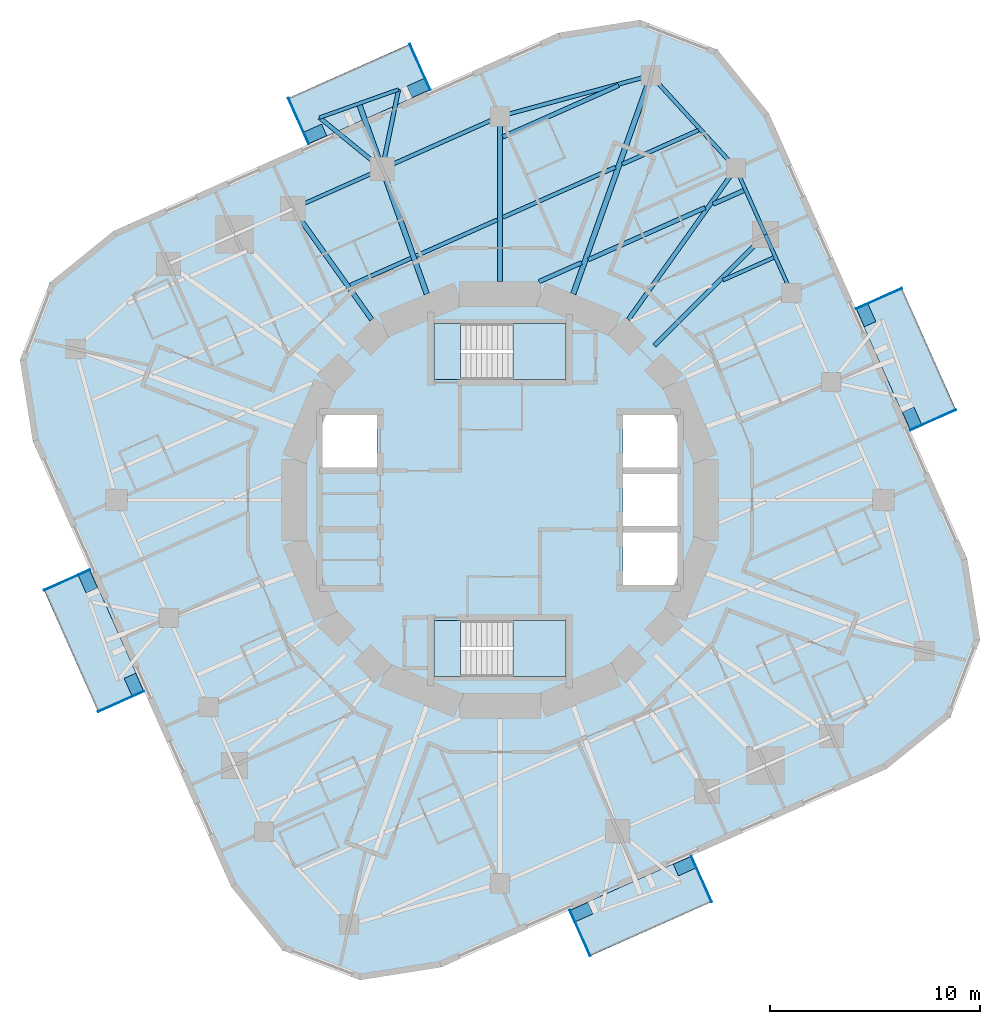
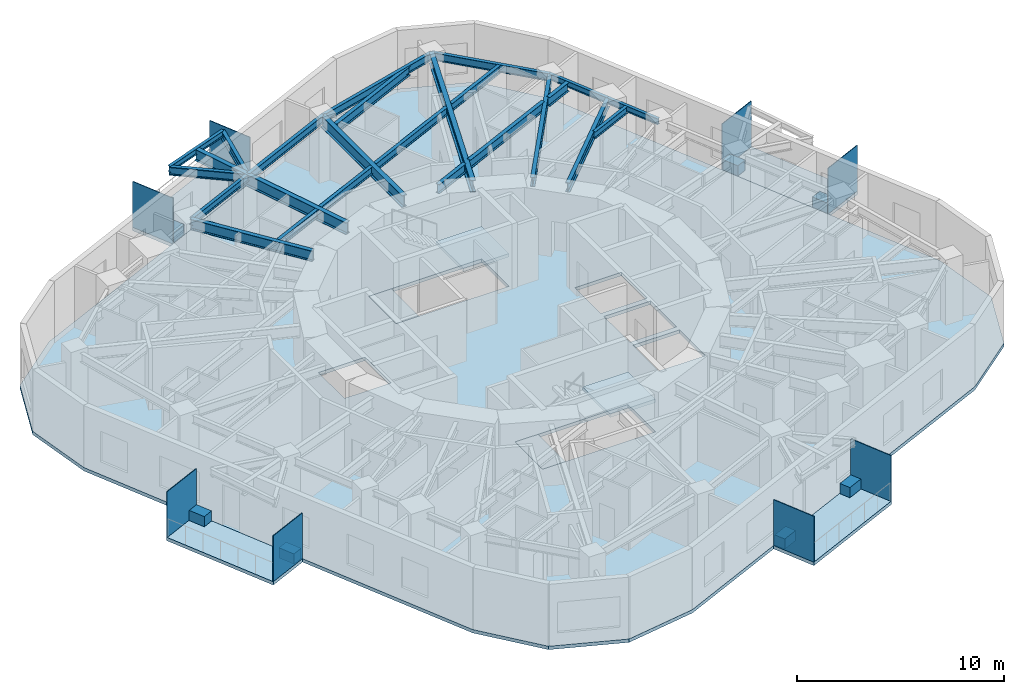
# One storey, part 3 of 12: 24 beams, 16 plates, 9 slabs, 2 elements without a shape of their own.
"""IFC4 building model written with IfcOpenShell, lengths in metres."""

from ifc_helpers import new_model, si_unit, direction, frame, origin, origin_2d, place, context, subcontext, project, spatial, polyline, rectangle, i_section, outline, extrude, material, layer, layer_set, material_profile, profile_set, type_object, element, aggregate, save


model = new_model("IFC4")

# Units and contexts
model_context = context("Model", 3, precision=1e-05, world=origin(), true_north=direction((0.0, 1.0)))
body_context = subcontext(model_context, "Body", "Model", "MODEL_VIEW")
ifc_project = project(units=[si_unit("LENGTHUNIT", "METRE"), si_unit("AREAUNIT", "SQUARE_METRE"), si_unit("VOLUMEUNIT", "CUBIC_METRE"), si_unit("PLANEANGLEUNIT", "RADIAN"), si_unit("MASSUNIT", "GRAM", prefix="KILO")], contexts=[model_context])

# Site, building, storey
site_placement = place(None, origin())
site = spatial("IfcSite", under=ifc_project, at=site_placement, CompositionType="ELEMENT")
building_placement = place(site_placement, origin())
building = spatial("IfcBuilding", under=site, at=building_placement, Name="Nakasero Lantern House", CompositionType="ELEMENT")
storey_placement = place(building_placement, frame((0.0, 0.0, 201.699951171875)))
storey = spatial("IfcBuildingStorey", under=building, at=storey_placement, Name="L49", CompositionType="ELEMENT", Elevation=201.699951171875)

# Beams
ifc_material_1 = material(Name="Steel S355", Category="steel")
ifc_material_profile_1 = material_profile(ifc_material_1, i_section(OverallWidth=0.199462890625, OverallDepth=0.491943359375, WebThickness=0.01806640625, FlangeThickness=0.031982421875, FilletRadius=0.01025390625, at=origin_2d()), Name="UB 457x191x161")
ifc_profile_set_1 = profile_set([ifc_material_profile_1], Name="Steel S355")
beam_type_1 = type_object("IfcBeamType", Name="Balcony splay beam UB 457x191x161", PredefinedType="BEAM", material=ifc_profile_set_1)
beam_1_placement = place(storey_placement, frame((-5.611328125, 15.781982421875, 3.404052734375), z_axis=(-0.774833215206, 0.632165712937, 0.0), x_axis=(-0.632165712937, -0.774833215206, 0.0)))
element("IfcBeam", 1, at=beam_1_placement, inside=storey, type_object=beam_type_1, Name="Balcony splay beam L50 B5-C10A", PredefinedType="BEAM", context=body_context, shape_type="SweptSolid", body=[
    extrude(i_section(OverallWidth=0.199462890625, OverallDepth=0.491943359375, WebThickness=0.01806640625, FlangeThickness=0.031982421875, FilletRadius=0.01025390625, at=origin_2d()), origin(), (0.0, 0.0, 1.0), 3.85888671875),
])
beam_2_placement = place(storey_placement, frame((-5.611328125, 15.781982421875, 3.404052734375), z_axis=(0.201831438605, 0.979420272605, 0.0), x_axis=(-0.979420272605, 0.201831438605, 0.0)))
element("IfcBeam", 2, at=beam_2_placement, inside=storey, type_object=beam_type_1, Name="Balcony splay beam L50 B5-C10B", PredefinedType="BEAM", context=body_context, shape_type="SweptSolid", body=[
    extrude(i_section(OverallWidth=0.199462890625, OverallDepth=0.491943359375, WebThickness=0.01806640625, FlangeThickness=0.031982421875, FilletRadius=0.01025390625, at=origin_2d()), origin(), (0.0, 0.0, 1.0), 3.858642578125),
])
ifc_material_2 = material(Name="Steel S355", Category="steel")
ifc_material_profile_2 = material_profile(ifc_material_2, i_section(OverallWidth=0.17138671875, OverallDepth=0.35498046875, WebThickness=0.00732421875, FlangeThickness=0.011474609375, FilletRadius=0.01025390625, at=origin_2d()), Name="UB 356x171x51")
ifc_profile_set_2 = profile_set([ifc_material_profile_2], Name="Steel S355")
beam_type_2 = type_object("IfcBeamType", Name="Balcony tie beam UB 356x171x51", PredefinedType="BEAM", material=ifc_profile_set_2)
beam_3_placement = place(storey_placement, frame((-8.601318359375, 18.221435546875, 3.47265625), z_axis=(0.94222839004, 0.334971134582, 0.0), x_axis=(-0.334971134582, 0.94222839004, 0.0)))
element("IfcBeam", 3, at=beam_3_placement, inside=storey, type_object=beam_type_2, Name="Balcony tie beam L50 B5-C10", PredefinedType="BEAM", context=body_context, shape_type="SweptSolid", body=[
    extrude(i_section(OverallWidth=0.17138671875, OverallDepth=0.35498046875, WebThickness=0.00732421875, FlangeThickness=0.011474609375, FilletRadius=0.01025390625, at=origin_2d()), origin(), (0.0, 0.0, 1.0), 4.0),
])
ifc_material_3 = material(Name="Steel S355", Category="steel")
ifc_material_profile_3 = material_profile(ifc_material_3, i_section(OverallWidth=0.177978515625, OverallDepth=0.406494140625, WebThickness=0.0078125, FlangeThickness=0.0126953125, FilletRadius=0.01025390625, at=origin_2d()), Name="UB 406x178x60")
ifc_profile_set_3 = profile_set([ifc_material_profile_3], Name="Steel S355")
beam_type_3 = type_object("IfcBeamType", Name="Infill beam UB 406x178x60", PredefinedType="JOIST", material=ifc_profile_set_3)
beam_4_placement = place(storey_placement, frame((10.626708984375, 10.47802734375, 3.44677734375), z_axis=(0.913529602849, 0.406772251658, 0.0), x_axis=(-0.406772251658, 0.913529602849, 0.0)))
element("IfcBeam", 4, at=beam_4_placement, inside=storey, type_object=beam_type_3, Name="Infill beam L50 09.4", PredefinedType="JOIST", context=body_context, shape_type="SweptSolid", body=[
    extrude(i_section(OverallWidth=0.177978515625, OverallDepth=0.406494140625, WebThickness=0.0078125, FlangeThickness=0.0126953125, FilletRadius=0.01025390625, at=origin_2d()), origin(), (0.0, 0.0, 1.0), 2.64453125),
])
ifc_material_4 = material(Name="Steel S355", Category="steel")
ifc_material_profile_4 = material_profile(ifc_material_4, i_section(OverallWidth=0.18994140625, OverallDepth=0.453369140625, WebThickness=0.008544921875, FlangeThickness=0.0126953125, FilletRadius=0.01025390625, at=origin_2d()), Name="UB 457x191x67")
ifc_profile_set_4 = profile_set([ifc_material_profile_4], Name="Steel S355")
beam_type_4 = type_object("IfcBeamType", Name="Infill beam UB 457x191x67", PredefinedType="JOIST", material=ifc_profile_set_4)
beam_5_placement = place(storey_placement, frame((-7.1357421875, 10.232177734375, 3.42333984375), z_axis=(0.913535738899, 0.406758471029, 0.0), x_axis=(-0.406758471029, 0.913535738899, 0.0)))
element("IfcBeam", 5, at=beam_5_placement, inside=storey, type_object=beam_type_4, Name="Infill beam L50 11.5", PredefinedType="JOIST", context=body_context, shape_type="SweptSolid", body=[
    extrude(i_section(OverallWidth=0.18994140625, OverallDepth=0.453369140625, WebThickness=0.008544921875, FlangeThickness=0.0126953125, FilletRadius=0.01025390625, at=origin_2d()), origin(), (0.0, 0.0, 1.0), 3.17822265625),
])
beam_6_placement = place(storey_placement, frame((-4.0, 11.62841796875, 3.42333984375), z_axis=(0.913547765637, 0.406731459196, 0.0), x_axis=(-0.406731459196, 0.913547765637, 0.0)))
element("IfcBeam", 6, at=beam_6_placement, inside=storey, type_object=beam_type_4, Name="Infill beam L50 11.6", PredefinedType="JOIST", context=body_context, shape_type="SweptSolid", body=[
    extrude(i_section(OverallWidth=0.18994140625, OverallDepth=0.453369140625, WebThickness=0.008544921875, FlangeThickness=0.0126953125, FilletRadius=0.01025390625, at=origin_2d()), origin(), (0.0, 0.0, 1.0), 4.239501953125),
])
beam_7_placement = place(storey_placement, frame((0.126953125, 13.4658203125, 3.42333984375), z_axis=(0.913539401307, 0.406750245556, 0.0), x_axis=(-0.406750245556, 0.913539401307, 0.0)))
element("IfcBeam", 7, at=beam_7_placement, inside=storey, type_object=beam_type_4, Name="Infill beam L50 11.7", PredefinedType="JOIST", context=body_context, shape_type="SweptSolid", body=[
    extrude(i_section(OverallWidth=0.18994140625, OverallDepth=0.453369140625, WebThickness=0.008544921875, FlangeThickness=0.0126953125, FilletRadius=0.01025390625, at=origin_2d()), origin(), (0.0, 0.0, 1.0), 5.886474609375),
])
beam_8_placement = place(storey_placement, frame((5.824462890625, 16.00244140625, 3.42333984375), z_axis=(0.91354552237, 0.406736497695, 0.0), x_axis=(-0.406736497695, 0.91354552237, 0.0)))
element("IfcBeam", 8, at=beam_8_placement, inside=storey, type_object=beam_type_4, Name="Infill beam L50 11.8", PredefinedType="JOIST", context=body_context, shape_type="SweptSolid", body=[
    extrude(i_section(OverallWidth=0.18994140625, OverallDepth=0.453369140625, WebThickness=0.008544921875, FlangeThickness=0.0126953125, FilletRadius=0.01025390625, at=origin_2d()), origin(), (0.0, 0.0, 1.0), 3.9765625),
])
ifc_material_5 = material(Name="Steel S355", Category="steel")
ifc_material_profile_5 = material_profile(ifc_material_5, i_section(OverallWidth=0.2099609375, OverallDepth=0.53662109375, WebThickness=0.0107421875, FlangeThickness=0.017333984375, FilletRadius=0.0126953125, at=origin_2d()), Name="UB 533x210x101")
ifc_profile_set_5 = profile_set([ifc_material_profile_5], Name="Steel S355")
beam_type_5 = type_object("IfcBeamType", Name="Infill beam UB 533x210x101", PredefinedType="JOIST", material=ifc_profile_set_5)
beam_9_placement = place(storey_placement, frame((0.126953125, 17.297119140625, 3.381591796875), z_axis=(0.913548718281, 0.406729319483, 0.0), x_axis=(-0.406729319483, 0.913548718281, 0.0)))
element("IfcBeam", 9, at=beam_9_placement, inside=storey, type_object=beam_type_5, Name="Infill beam L50 12.3", PredefinedType="JOIST", context=body_context, shape_type="SweptSolid", body=[
    extrude(i_section(OverallWidth=0.2099609375, OverallDepth=0.53662109375, WebThickness=0.0107421875, FlangeThickness=0.017333984375, FilletRadius=0.0126953125, at=origin_2d()), origin(), (0.0, 0.0, 1.0), 6.056640625),
])
ifc_material_6 = material(Name="Steel S355", Category="steel")
ifc_material_profile_6 = material_profile(ifc_material_6, i_section(OverallWidth=0.208740234375, OverallDepth=0.5283203125, WebThickness=0.009521484375, FlangeThickness=0.01318359375, FilletRadius=0.0126953125, at=origin_2d()), Name="UB 533x210x82")
ifc_profile_set_6 = profile_set([ifc_material_profile_6], Name="Steel S355")
beam_type_6 = type_object("IfcBeamType", Name="Infill beam UB 533x210x82", PredefinedType="JOIST", material=ifc_profile_set_6)
beam_10_placement = place(storey_placement, frame((1.86376953125, 10.407958984375, 3.385986328125), z_axis=(0.913538457968, 0.406752364238, 0.0), x_axis=(-0.406752364238, 0.913538457968, 0.0)))
element("IfcBeam", 10, at=beam_10_placement, inside=storey, type_object=beam_type_6, Name="Infill beam L50 10.3", PredefinedType="JOIST", context=body_context, shape_type="SweptSolid", body=[
    extrude(i_section(OverallWidth=0.208740234375, OverallDepth=0.5283203125, WebThickness=0.009521484375, FlangeThickness=0.01318359375, FilletRadius=0.0126953125, at=origin_2d()), origin(), (0.0, 0.0, 1.0), 2.213623046875),
])
beam_11_placement = place(storey_placement, frame((4.2060546875, 11.45068359375, 3.385986328125), z_axis=(0.913537341067, 0.406754872713, 0.0), x_axis=(-0.406754872713, 0.913537341067, 0.0)))
element("IfcBeam", 11, at=beam_11_placement, inside=storey, type_object=beam_type_6, Name="Infill beam L50 10.4", PredefinedType="JOIST", context=body_context, shape_type="SweptSolid", body=[
    extrude(i_section(OverallWidth=0.208740234375, OverallDepth=0.5283203125, WebThickness=0.009521484375, FlangeThickness=0.01318359375, FilletRadius=0.0126953125, at=origin_2d()), origin(), (0.0, 0.0, 1.0), 6.099365234375),
])
beam_12_placement = place(storey_placement, frame((10.155029296875, 14.099365234375, 3.385986328125), z_axis=(0.913522313414, 0.406788621884, 0.0), x_axis=(-0.406788621884, 0.913522313414, 0.0)))
element("IfcBeam", 12, at=beam_12_placement, inside=storey, type_object=beam_type_6, Name="Infill beam L50 10.5", PredefinedType="JOIST", context=body_context, shape_type="SweptSolid", body=[
    extrude(i_section(OverallWidth=0.208740234375, OverallDepth=0.5283203125, WebThickness=0.009521484375, FlangeThickness=0.01318359375, FilletRadius=0.0126953125, at=origin_2d()), origin(), (0.0, 0.0, 1.0), 1.6025390625),
])
ifc_material_7 = material(Name="Steel S355", Category="steel")
ifc_material_profile_7 = material_profile(ifc_material_7, i_section(OverallWidth=0.2099609375, OverallDepth=0.53662109375, WebThickness=0.0107421875, FlangeThickness=0.017333984375, FilletRadius=0.0126953125, at=origin_2d()), Name="UB 533x210x101")
ifc_profile_set_7 = profile_set([ifc_material_profile_7], Name="Steel S355")
beam_type_7 = type_object("IfcBeamType", Name="Primary beam UB 533x210x101, span 6 to 9 m", PredefinedType="BEAM", material=ifc_profile_set_7)
beam_13_placement = place(storey_placement, frame((12.64892578125, 12.64892578125, 3.381591796875), z_axis=(-0.707106781187, -0.707106781187, 0.0), x_axis=(0.707106781187, -0.707106781187, 0.0)))
element("IfcBeam", 13, at=beam_13_placement, inside=storey, type_object=beam_type_7, Name="Primary beam L50 B5-C06", PredefinedType="BEAM", context=body_context, shape_type="SweptSolid", body=[
    extrude(i_section(OverallWidth=0.2099609375, OverallDepth=0.53662109375, WebThickness=0.0107421875, FlangeThickness=0.017333984375, FilletRadius=0.0126953125, at=origin_2d()), origin(), (0.0, 0.0, 1.0), 7.48046875),
])
beam_14_placement = place(storey_placement, frame((11.241943359375, 15.808837890625, 3.381591796875), z_axis=(-0.579536824926, -0.814946052543, 0.0), x_axis=(0.814946052543, -0.579536824926, 0.0)))
element("IfcBeam", 14, at=beam_14_placement, inside=storey, type_object=beam_type_7, Name="Primary beam L50 B5-C07", PredefinedType="BEAM", context=body_context, shape_type="SweptSolid", body=[
    extrude(i_section(OverallWidth=0.2099609375, OverallDepth=0.53662109375, WebThickness=0.0107421875, FlangeThickness=0.017333984375, FilletRadius=0.0126953125, at=origin_2d()), origin(), (0.0, 0.0, 1.0), 8.84326171875),
])
ifc_material_8 = material(Name="Steel S355", Category="steel")
ifc_material_profile_8 = material_profile(ifc_material_8, i_section(OverallWidth=0.22900390625, OverallDepth=0.6123046875, WebThickness=0.011962890625, FlangeThickness=0.01953125, FilletRadius=0.0126953125, at=origin_2d()), Name="UB 610x229x125")
ifc_profile_set_8 = profile_set([ifc_material_profile_8], Name="Steel S355")
beam_type_8 = type_object("IfcBeamType", Name="Primary beam UB 610x229x125, span 6 to 9 m", PredefinedType="BEAM", material=ifc_profile_set_8)
beam_15_placement = place(storey_placement, frame((-9.87353515625, 13.884521484375, 3.343994140625), z_axis=(0.57954101868, -0.8149430702, 0.0), x_axis=(0.8149430702, 0.57954101868, 0.0)))
element("IfcBeam", 15, at=beam_15_placement, inside=storey, type_object=beam_type_8, Name="Primary beam L50 B5-C11", PredefinedType="BEAM", context=body_context, shape_type="SweptSolid", body=[
    extrude(i_section(OverallWidth=0.22900390625, OverallDepth=0.6123046875, WebThickness=0.011962890625, FlangeThickness=0.01953125, FilletRadius=0.0126953125, at=origin_2d()), origin(), (0.0, 0.0, 1.0), 6.48193359375),
])
ifc_material_9 = material(Name="Steel S355", Category="steel")
ifc_material_profile_9 = material_profile(ifc_material_9, i_section(OverallWidth=0.253662109375, OverallDepth=0.68359375, WebThickness=0.012451171875, FlangeThickness=0.01904296875, FilletRadius=0.01513671875, at=origin_2d()), Name="UB 686x254x140")
ifc_profile_set_9 = profile_set([ifc_material_profile_9], Name="Steel S355")
beam_type_9 = type_object("IfcBeamType", Name="Primary beam UB 686x254x140, span 6 to 9 m", PredefinedType="BEAM", material=ifc_profile_set_9)
beam_16_placement = place(storey_placement, frame((0.0, 18.280517578125, 3.308349609375), z_axis=(0.0, -1.0, 0.0), x_axis=(1.0, 0.0, 0.0)))
element("IfcBeam", 16, at=beam_16_placement, inside=storey, type_object=beam_type_9, Name="Primary beam L50 B5-C09", PredefinedType="BEAM", context=body_context, shape_type="SweptSolid", body=[
    extrude(i_section(OverallWidth=0.253662109375, OverallDepth=0.68359375, WebThickness=0.012451171875, FlangeThickness=0.01904296875, FilletRadius=0.01513671875, at=origin_2d()), origin(), (0.0, 0.0, 1.0), 7.87255859375),
])
beam_17_placement = place(storey_placement, frame((-6.717041015625, 18.891357421875, 3.308349609375), z_axis=(0.335030177005, -0.942207397814, 0.0), x_axis=(0.942207397814, 0.335030177005, 0.0)))
element("IfcBeam", 17, at=beam_17_placement, inside=storey, type_object=beam_type_9, Name="Primary beam L50 B5-C10", PredefinedType="BEAM", context=body_context, shape_type="SweptSolid", body=[
    extrude(i_section(OverallWidth=0.253662109375, OverallDepth=0.68359375, WebThickness=0.012451171875, FlangeThickness=0.01904296875, FilletRadius=0.01513671875, at=origin_2d()), origin(), (0.0, 0.0, 1.0), 9.62841796875),
])
ifc_material_10 = material(Name="Steel S355", Category="steel")
ifc_material_profile_10 = material_profile(ifc_material_10, i_section(OverallWidth=0.253662109375, OverallDepth=0.68359375, WebThickness=0.012451171875, FlangeThickness=0.01904296875, FilletRadius=0.01513671875, at=origin_2d()), Name="UB 686x254x140")
ifc_profile_set_10 = profile_set([ifc_material_profile_10], Name="Steel S355")
beam_type_10 = type_object("IfcBeamType", Name="Primary beam UB 686x254x140, span 9 to 12 m", PredefinedType="BEAM", material=ifc_profile_set_10)
beam_18_placement = place(storey_placement, frame((7.19482421875, 20.2353515625, 3.308349609375), z_axis=(-0.335020995468, -0.942210662535, 0.0), x_axis=(0.942210662535, -0.335020995468, 0.0)))
element("IfcBeam", 18, at=beam_18_placement, inside=storey, type_object=beam_type_10, Name="Primary beam L50 B5-C08", PredefinedType="BEAM", context=body_context, shape_type="SweptSolid", body=[
    extrude(i_section(OverallWidth=0.253662109375, OverallDepth=0.68359375, WebThickness=0.012451171875, FlangeThickness=0.01904296875, FilletRadius=0.01513671875, at=origin_2d()), origin(), (0.0, 0.0, 1.0), 11.054931640625),
])
ifc_material_11 = material(Name="Steel S355", Category="steel")
ifc_material_profile_11 = material_profile(ifc_material_11, i_section(OverallWidth=0.17138671875, OverallDepth=0.35498046875, WebThickness=0.00732421875, FlangeThickness=0.011474609375, FilletRadius=0.01025390625, at=origin_2d()), Name="UB 356x171x51")
ifc_profile_set_11 = profile_set([ifc_material_profile_11], Name="Steel S355")
beam_type_11 = type_object("IfcBeamType", Name="Ring beam UB 356x171x51", PredefinedType="BEAM", material=ifc_profile_set_11)
beam_19_placement = place(storey_placement, frame((13.884521484375, 9.87353515625, 3.47265625), z_axis=(-0.40671251915, 0.913556197925, 0.0), x_axis=(-0.913556197925, -0.40671251915, 0.0)))
element("IfcBeam", 19, at=beam_19_placement, inside=storey, type_object=beam_type_11, Name="Ring beam L50 B5-C05", PredefinedType="BEAM", context=body_context, shape_type="SweptSolid", body=[
    extrude(i_section(OverallWidth=0.17138671875, OverallDepth=0.35498046875, WebThickness=0.00732421875, FlangeThickness=0.011474609375, FilletRadius=0.01025390625, at=origin_2d()), origin(), (0.0, 0.0, 1.0), 3.0380859375),
])
beam_20_placement = place(storey_placement, frame((12.64892578125, 12.64892578125, 3.47265625), z_axis=(-0.406760506795, 0.913534832457, 0.0), x_axis=(-0.913534832457, -0.406760506795, 0.0)))
element("IfcBeam", 20, at=beam_20_placement, inside=storey, type_object=beam_type_11, Name="Ring beam L50 B5-C06", PredefinedType="BEAM", context=body_context, shape_type="SweptSolid", body=[
    extrude(i_section(OverallWidth=0.17138671875, OverallDepth=0.35498046875, WebThickness=0.00732421875, FlangeThickness=0.011474609375, FilletRadius=0.01025390625, at=origin_2d()), origin(), (0.0, 0.0, 1.0), 3.458984375),
])
ifc_material_12 = material(Name="Steel S355", Category="steel")
ifc_material_profile_12 = material_profile(ifc_material_12, i_section(OverallWidth=0.177978515625, OverallDepth=0.406494140625, WebThickness=0.0078125, FlangeThickness=0.0126953125, FilletRadius=0.01025390625, at=origin_2d()), Name="UB 406x178x60")
ifc_profile_set_12 = profile_set([ifc_material_profile_12], Name="Steel S355")
beam_type_12 = type_object("IfcBeamType", Name="Ring beam UB 406x178x60", PredefinedType="BEAM", material=ifc_profile_set_12)
beam_21_placement = place(storey_placement, frame((-5.611328125, 15.781982421875, 3.44677734375), z_axis=(-0.913561058639, -0.406701600856, 0.0), x_axis=(0.406701600856, -0.913561058639, 0.0)))
element("IfcBeam", 21, at=beam_21_placement, inside=storey, type_object=beam_type_12, Name="Ring beam L50 B5-C10", PredefinedType="BEAM", context=body_context, shape_type="SweptSolid", body=[
    extrude(i_section(OverallWidth=0.177978515625, OverallDepth=0.406494140625, WebThickness=0.0078125, FlangeThickness=0.0126953125, FilletRadius=0.01025390625, at=origin_2d()), origin(), (0.0, 0.0, 1.0), 4.66552734375),
])
ifc_material_13 = material(Name="Steel S355", Category="steel")
ifc_material_profile_13 = material_profile(ifc_material_13, i_section(OverallWidth=0.18994140625, OverallDepth=0.453369140625, WebThickness=0.008544921875, FlangeThickness=0.0126953125, FilletRadius=0.01025390625, at=origin_2d()), Name="UB 457x191x67")
ifc_profile_set_13 = profile_set([ifc_material_profile_13], Name="Steel S355")
beam_type_13 = type_object("IfcBeamType", Name="Ring beam UB 457x191x67", PredefinedType="BEAM", material=ifc_profile_set_13)
beam_22_placement = place(storey_placement, frame((11.241943359375, 15.808837890625, 3.42333984375), z_axis=(-0.674771099966, 0.73802707447, 0.0), x_axis=(-0.73802707447, -0.674771099966, 0.0)))
element("IfcBeam", 22, at=beam_22_placement, inside=storey, type_object=beam_type_13, Name="Ring beam L50 B5-C07", PredefinedType="BEAM", context=body_context, shape_type="SweptSolid", body=[
    extrude(i_section(OverallWidth=0.18994140625, OverallDepth=0.453369140625, WebThickness=0.008544921875, FlangeThickness=0.0126953125, FilletRadius=0.01025390625, at=origin_2d()), origin(), (0.0, 0.0, 1.0), 5.997802734375),
])
beam_23_placement = place(storey_placement, frame((7.19482421875, 20.2353515625, 3.42333984375), z_axis=(-0.965015017941, -0.26219461312, 0.0), x_axis=(0.26219461312, -0.965015017941, 0.0)))
element("IfcBeam", 23, at=beam_23_placement, inside=storey, type_object=beam_type_13, Name="Ring beam L50 B5-C08", PredefinedType="BEAM", context=body_context, shape_type="SweptSolid", body=[
    extrude(i_section(OverallWidth=0.18994140625, OverallDepth=0.453369140625, WebThickness=0.008544921875, FlangeThickness=0.0126953125, FilletRadius=0.01025390625, at=origin_2d()), origin(), (0.0, 0.0, 1.0), 7.45556640625),
])
ifc_material_14 = material(Name="Steel S355", Category="steel")
ifc_material_profile_14 = material_profile(ifc_material_14, i_section(OverallWidth=0.19140625, OverallDepth=0.4599609375, WebThickness=0.010009765625, FlangeThickness=0.01611328125, FilletRadius=0.01025390625, at=origin_2d()), Name="UB 457x191x82")
ifc_profile_set_14 = profile_set([ifc_material_profile_14], Name="Steel S355")
beam_type_14 = type_object("IfcBeamType", Name="Ring beam UB 457x191x82", PredefinedType="BEAM", material=ifc_profile_set_14)
beam_24_placement = place(storey_placement, frame((0.0, 18.280517578125, 3.420166015625), z_axis=(-0.913532698569, -0.406765299215, 0.0), x_axis=(0.406765299215, -0.913532698569, 0.0)))
element("IfcBeam", 24, at=beam_24_placement, inside=storey, type_object=beam_type_14, Name="Ring beam L50 B5-C09", PredefinedType="BEAM", context=body_context, shape_type="SweptSolid", body=[
    extrude(i_section(OverallWidth=0.19140625, OverallDepth=0.4599609375, WebThickness=0.010009765625, FlangeThickness=0.01611328125, FilletRadius=0.01025390625, at=origin_2d()), origin(), (0.0, 0.0, 1.0), 6.142333984375),
])

# Plates
ifc_material_15 = material(Name="Aluminium 6063-T6", Category="aluminium")
ifc_layer_1 = layer(ifc_material_15, 0.60009765625)
ifc_layer_set_1 = layer_set([ifc_layer_1], Name="Balcony planter 600x900")
plate_type_1 = type_object("IfcPlateType", Name="Balcony planter 600x900", PredefinedType="USERDEFINED", material=ifc_layer_set_1)
for number, where, z_axis, x_axis, name in (
    (25, (19.629638671875, 3.90283203125, 0.0), (0.0, 0.0, 1.0), (0.913545457643, 0.406736643076, 0.0), "Balcony PLANTER L49 BAL0A"),
    (26, (17.452880859375, 8.791748046875, 0.0), (0.0, 0.0, 1.0), (0.913545457643, 0.406736643076, 0.0), "Balcony PLANTER L49 BAL0B"),
    (27, (-3.90283203125, 19.629638671875, 0.0), (0.0, 0.0, 1.0), (-0.406736643076, 0.913545457643, 0.0), "Balcony PLANTER L49 BAL1A"),
    (28, (-8.791748046875, 17.452880859375, 0.0), (0.0, 0.0, 1.0), (-0.406736643076, 0.913545457643, 0.0), "Balcony PLANTER L49 BAL1B"),
    (29, (-19.629638671875, -3.90283203125, 0.0), (0.0, 0.0, 1.0), (-0.913545457643, -0.406736643076, 0.0), "Balcony PLANTER L49 BAL2A"),
    (30, (-17.452880859375, -8.791748046875, 0.0), (0.0, 0.0, 1.0), (-0.913545457643, -0.406736643076, 0.0), "Balcony PLANTER L49 BAL2B"),
    (31, (3.90283203125, -19.629638671875, 0.0), (0.0, 0.0, 1.0), (0.406736643076, -0.913545457643, 0.0), "Balcony PLANTER L49 BAL3A"),
    (32, (8.791748046875, -17.452880859375, 0.0), (0.0, 0.0, 1.0), (0.406736643076, -0.913545457643, 0.0), "Balcony PLANTER L49 BAL3B"),
):
    element("IfcPlate", number, at=place(storey_placement, frame(where, z_axis=z_axis, x_axis=x_axis)), inside=storey, type_object=plate_type_1, Name=name, ObjectType="PLANTER", PredefinedType="USERDEFINED", context=body_context, shape_type="SweptSolid", body=[
        extrude(rectangle(XDim=0.60009765625, YDim=0.89990234375, at=origin_2d()), origin(), (0.0, 0.0, 1.0), 0.60009765625),
    ])
ifc_material_16 = material(Name="Aluminium 6063-T6", Category="aluminium")
ifc_layer_2 = layer(ifc_material_16, 0.0400390625)
ifc_layer_set_2 = layer_set([ifc_layer_2], Name="Balcony screen 2400x2700")
plate_type_2 = type_object("IfcPlateType", Name="Balcony screen 2400x2700", PredefinedType="SHEET", material=ifc_layer_set_2)
for number, where, z_axis, x_axis, name in (
    (33, (20.6328125, 3.813232421875, 0.0), (0.0, 0.0, 1.0), (0.913545457643, 0.406736643076, 0.0), "Balcony SCREEN L49 BAL0A"),
    (34, (18.0576171875, 9.59716796875, 0.0), (0.0, 0.0, 1.0), (0.913545457643, 0.406736643076, 0.0), "Balcony SCREEN L49 BAL0B"),
    (35, (-3.813232421875, 20.6328125, 0.0), (0.0, 0.0, 1.0), (-0.406736643076, 0.913545457643, 0.0), "Balcony SCREEN L49 BAL1A"),
    (36, (-9.59716796875, 18.0576171875, 0.0), (0.0, 0.0, 1.0), (-0.406736643076, 0.913545457643, 0.0), "Balcony SCREEN L49 BAL1B"),
    (37, (-20.6328125, -3.813232421875, 0.0), (0.0, 0.0, 1.0), (-0.913545457643, -0.406736643076, 0.0), "Balcony SCREEN L49 BAL2A"),
    (38, (-18.0576171875, -9.59716796875, 0.0), (0.0, 0.0, 1.0), (-0.913545457643, -0.406736643076, 0.0), "Balcony SCREEN L49 BAL2B"),
    (39, (3.813232421875, -20.6328125, 0.0), (0.0, 0.0, 1.0), (0.406736643076, -0.913545457643, 0.0), "Balcony SCREEN L49 BAL3A"),
    (40, (9.59716796875, -18.0576171875, 0.0), (0.0, 0.0, 1.0), (0.406736643076, -0.913545457643, 0.0), "Balcony SCREEN L49 BAL3B"),
):
    element("IfcPlate", number, at=place(storey_placement, frame(where, z_axis=z_axis, x_axis=x_axis)), inside=storey, type_object=plate_type_2, Name=name, PredefinedType="SHEET", context=body_context, shape_type="SweptSolid", body=[
        extrude(rectangle(XDim=2.39990234375, YDim=0.0400390625, at=origin_2d()), origin(), (0.0, 0.0, 1.0), 2.699951171875),
    ])

# Slabs
ifc_material_17 = material(Name="Concrete C35/45", Category="concrete")
ifc_layer_3 = layer(ifc_material_17, 0.199951171875)
ifc_layer_set_3 = layer_set([ifc_layer_3], Name="Balcony slab 200")
slab_type_1 = type_object("IfcSlabType", Name="Balcony slab 200", PredefinedType="USERDEFINED", material=ifc_layer_set_3)
slab_1_placement = place(storey_placement, frame((0.0, 0.0, -0.199951171875)))
element("IfcSlab", 41, at=slab_1_placement, inside=storey, type_object=slab_type_1, Name="Balcony L49 BAL0", ObjectType="BALCONY", PredefinedType="USERDEFINED", context=body_context, shape_type="SweptSolid", body=[
    extrude(outline(polyline([(19.544677734375, 3.306884765625), (21.7373046875, 4.282958984375), (19.145751953125, 10.103515625), (16.953125, 9.12744140625), (19.544677734375, 3.306884765625)])), origin(), (0.0, 0.0, 1.0), 0.199951171875),
])
slab_2_placement = place(storey_placement, frame((0.0, 0.0, -0.199951171875)))
element("IfcSlab", 42, at=slab_2_placement, inside=storey, type_object=slab_type_1, Name="Balcony L49 BAL1", ObjectType="BALCONY", PredefinedType="USERDEFINED", context=body_context, shape_type="SweptSolid", body=[
    extrude(outline(polyline([(-3.306884765625, 19.544677734375), (-4.282958984375, 21.7373046875), (-10.103515625, 19.145751953125), (-9.12744140625, 16.953125), (-3.306884765625, 19.544677734375)])), origin(), (0.0, 0.0, 1.0), 0.199951171875),
])
slab_3_placement = place(storey_placement, frame((0.0, 0.0, -0.199951171875)))
element("IfcSlab", 43, at=slab_3_placement, inside=storey, type_object=slab_type_1, Name="Balcony L49 BAL2", ObjectType="BALCONY", PredefinedType="USERDEFINED", context=body_context, shape_type="SweptSolid", body=[
    extrude(outline(polyline([(-19.544677734375, -3.306884765625), (-21.7373046875, -4.282958984375), (-19.145751953125, -10.103515625), (-16.953125, -9.12744140625), (-19.544677734375, -3.306884765625)])), origin(), (0.0, 0.0, 1.0), 0.199951171875),
])
slab_4_placement = place(storey_placement, frame((0.0, 0.0, -0.199951171875)))
element("IfcSlab", 44, at=slab_4_placement, inside=storey, type_object=slab_type_1, Name="Balcony L49 BAL3", ObjectType="BALCONY", PredefinedType="USERDEFINED", context=body_context, shape_type="SweptSolid", body=[
    extrude(outline(polyline([(3.306884765625, -19.544677734375), (4.282958984375, -21.7373046875), (10.103515625, -19.145751953125), (9.12744140625, -16.953125), (3.306884765625, -19.544677734375)])), origin(), (0.0, 0.0, 1.0), 0.199951171875),
])
ifc_material_18 = material(Name="Concrete C35/45", Category="concrete")
ifc_layer_4 = layer(ifc_material_18, 0.199951171875)
ifc_layer_set_4 = layer_set([ifc_layer_4], Name="Composite floor slab 200")
slab_type_2 = type_object("IfcSlabType", Name="Composite floor slab 200", PredefinedType="FLOOR", material=ifc_layer_set_4)
slab_5_placement = place(storey_placement, frame((0.0, 0.0, -0.199951171875)))
element("IfcSlab", 45, at=slab_5_placement, inside=storey, type_object=slab_type_2, Name="Floor slab L49", PredefinedType="FLOOR", context=body_context, shape_type="SweptSolid", body=[
    extrude(outline(polyline([(12.822021484375, 18.406494140625), (10.34619140625, 21.4638671875), (6.67333984375, 22.87353515625), (2.787841796875, 22.25830078125), (-18.406494140625, 12.822021484375), (-21.4638671875, 10.34619140625), (-22.87353515625, 6.67333984375), (-22.25830078125, 2.787841796875), (-12.822021484375, -18.406494140625), (-10.34619140625, -21.4638671875), (-6.67333984375, -22.87353515625), (-2.787841796875, -22.25830078125), (18.406494140625, -12.822021484375), (21.4638671875, -10.34619140625), (22.87353515625, -6.67333984375), (22.25830078125, -2.787841796875), (12.822021484375, 18.406494140625)]), holes=[polyline([(-8.449951171875, 1.550048828125), (-5.85009765625, 1.550048828125), (-5.85009765625, 4.050048828125), (-8.449951171875, 4.050048828125), (-8.449951171875, 1.550048828125)]), polyline([(5.85009765625, -4.050048828125), (8.449951171875, -4.050048828125), (8.449951171875, -1.550048828125), (5.85009765625, -1.550048828125), (5.85009765625, -4.050048828125)]), polyline([(5.85009765625, -1.25), (8.449951171875, -1.25), (8.449951171875, 1.25), (5.85009765625, 1.25), (5.85009765625, -1.25)]), polyline([(5.85009765625, 1.550048828125), (8.449951171875, 1.550048828125), (8.449951171875, 4.050048828125), (5.85009765625, 4.050048828125), (5.85009765625, 1.550048828125)]), polyline([(-3.14990234375, 5.75), (3.14990234375, 5.75), (3.14990234375, 8.39990234375), (-3.14990234375, 8.39990234375), (-3.14990234375, 5.75)]), polyline([(-3.14990234375, -8.39990234375), (3.14990234375, -8.39990234375), (3.14990234375, -5.75), (-3.14990234375, -5.75), (-3.14990234375, -8.39990234375)])]), origin(), (0.0, 0.0, 1.0), 0.199951171875),
])

# Stair, slabs
ifc_material_19 = material(Name="Concrete C40/50", Category="concrete")
stair_type_1 = type_object("IfcStairType", Name="Escape stair ST1 22 risers", PredefinedType="HALF_TURN_STAIR", material=ifc_material_19)
stair_1_placement = place(storey_placement, origin())
stair_1 = element("IfcStair", 46, at=stair_1_placement, inside=storey, type_object=stair_type_1, Name="Escape stair ST1 L49", PredefinedType="HALF_TURN_STAIR")
ifc_material_20 = material(Name="Concrete C40/50", Category="concrete")
ifc_layer_5 = layer(ifc_material_20, 0.199951171875)
ifc_layer_set_5 = layer_set([ifc_layer_5], Name="Stair landing 200")
slab_type_3 = type_object("IfcSlabType", Name="Stair landing 200", PredefinedType="LANDING", material=ifc_layer_set_5)
slab_6_placement = place(storey_placement, frame((0.0, 0.0, -0.199951171875)))
slab_6 = element("IfcSlab", 47, at=slab_6_placement, type_object=slab_type_3, Name="ST1 landing 1", PredefinedType="LANDING", context=body_context, shape_type="SweptSolid", body=[
    extrude(outline(polyline([(-3.14990234375, 5.75), (-1.875, 5.75), (-1.875, 8.39990234375), (-3.14990234375, 8.39990234375), (-3.14990234375, 5.75)])), origin(), (0.0, 0.0, 1.0), 0.199951171875),
])
slab_7_placement = place(storey_placement, frame((0.0, 0.0, 1.72509765625)))
slab_7 = element("IfcSlab", 48, at=slab_7_placement, type_object=slab_type_3, Name="ST1 landing 2", PredefinedType="LANDING", context=body_context, shape_type="SweptSolid", body=[
    extrude(outline(polyline([(0.625, 5.75), (3.14990234375, 5.75), (3.14990234375, 8.39990234375), (0.625, 8.39990234375), (0.625, 5.75)])), origin(), (0.0, 0.0, 1.0), 0.199951171875),
])
aggregate(stair_1, [slab_6, slab_7])

ifc_material_21 = material(Name="Concrete C40/50", Category="concrete")
stair_type_2 = type_object("IfcStairType", Name="Escape stair ST2 22 risers", PredefinedType="HALF_TURN_STAIR", material=ifc_material_21)
stair_2_placement = place(storey_placement, origin())
stair_2 = element("IfcStair", 49, at=stair_2_placement, inside=storey, type_object=stair_type_2, Name="Escape stair ST2 L49", PredefinedType="HALF_TURN_STAIR")
slab_8_placement = place(storey_placement, frame((0.0, 0.0, -0.199951171875)))
slab_8 = element("IfcSlab", 50, at=slab_8_placement, type_object=slab_type_3, Name="ST2 landing 1", PredefinedType="LANDING", context=body_context, shape_type="SweptSolid", body=[
    extrude(outline(polyline([(-3.14990234375, -8.39990234375), (-1.875, -8.39990234375), (-1.875, -5.75), (-3.14990234375, -5.75), (-3.14990234375, -8.39990234375)])), origin(), (0.0, 0.0, 1.0), 0.199951171875),
])
slab_9_placement = place(storey_placement, frame((0.0, 0.0, 1.72509765625)))
slab_9 = element("IfcSlab", 51, at=slab_9_placement, type_object=slab_type_3, Name="ST2 landing 2", PredefinedType="LANDING", context=body_context, shape_type="SweptSolid", body=[
    extrude(outline(polyline([(0.625, -8.39990234375), (3.14990234375, -8.39990234375), (3.14990234375, -5.75), (0.625, -5.75), (0.625, -8.39990234375)])), origin(), (0.0, 0.0, 1.0), 0.199951171875),
])
aggregate(stair_2, [slab_8, slab_9])

save(model, "model.ifc")
